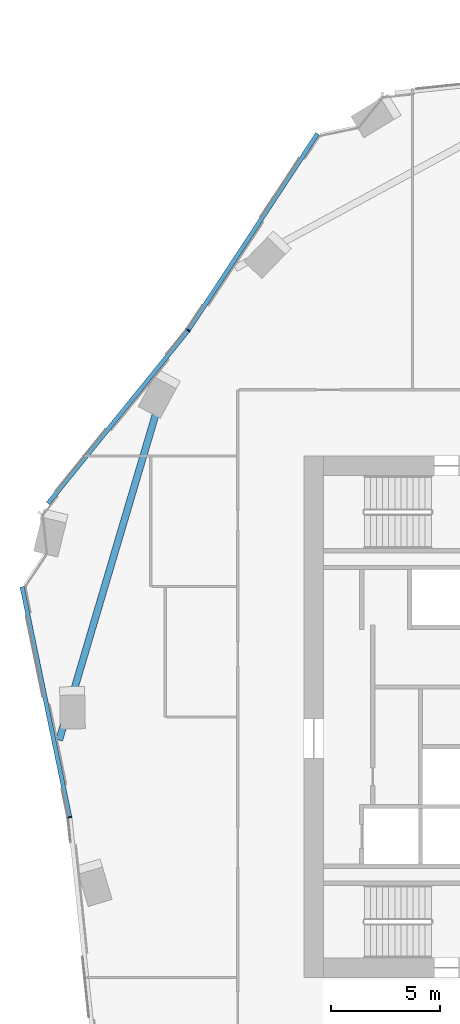
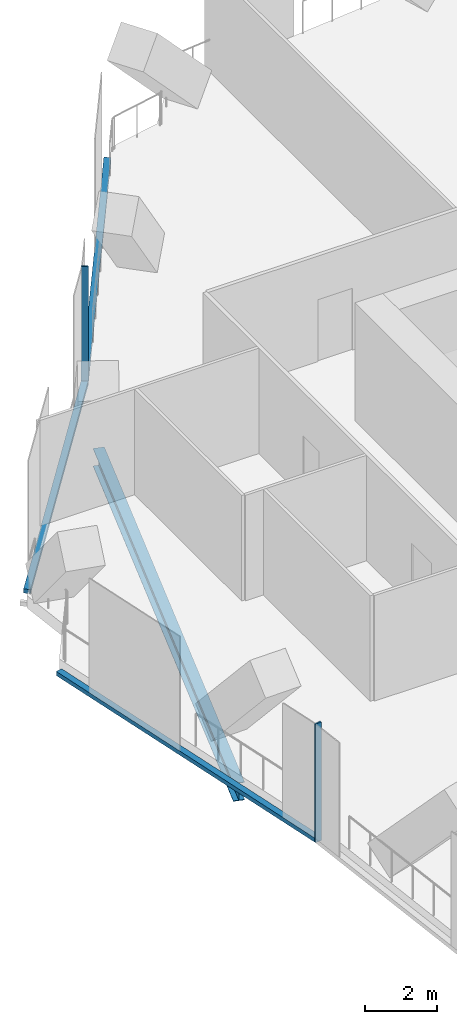
# One storey, part 6 of 26: 5 members, 1 beam, 3 elements without a shape of their own.
"""IFC4 building model written with IfcOpenShell, lengths in metres."""

from ifc_helpers import new_model, si_unit, direction, frame, origin, origin_2d, place, context, subcontext, project, spatial, rectangle, i_section, extrude, material, material_profile, profile_set, type_object, element, aggregate, save


model = new_model("IFC4")

# Units and contexts
model_context = context("Model", 3, precision=1e-05, world=origin(), true_north=direction((0.0, 1.0)))
body_context = subcontext(model_context, "Body", "Model", "MODEL_VIEW")
ifc_project = project(units=[si_unit("LENGTHUNIT", "METRE"), si_unit("AREAUNIT", "SQUARE_METRE"), si_unit("VOLUMEUNIT", "CUBIC_METRE"), si_unit("PLANEANGLEUNIT", "RADIAN"), si_unit("MASSUNIT", "GRAM", prefix="KILO")], contexts=[model_context])

# Site, building, storey
site_placement = place(None, origin())
site = spatial("IfcSite", under=ifc_project, at=site_placement, CompositionType="ELEMENT")
building_placement = place(site_placement, origin())
building = spatial("IfcBuilding", under=site, at=building_placement, Name="Orlundy Tower", CompositionType="ELEMENT")
storey_placement = place(building_placement, frame((0.0, 0.0, 228.0)))
storey = spatial("IfcBuildingStorey", under=building, at=storey_placement, Name="L60", CompositionType="ELEMENT", Elevation=228.0)

# Beam
ifc_material_1 = material(Name="Steel ASTM A992 Gr 50", Category="steel")
ifc_material_profile_1 = material_profile(ifc_material_1, i_section(OverallWidth=0.32373046875, OverallDepth=0.611083984375, WebThickness=0.0126953125, FlangeThickness=0.01904296875, at=origin_2d()), Name="W24X104")
ifc_profile_set_1 = profile_set([ifc_material_profile_1], Name="Steel ASTM A992 Gr 50")
beam_type = type_object("IfcBeamType", Name="CANTILEVER GIRDER beam W24X104", PredefinedType="BEAM", material=ifc_profile_set_1)
beam_placement = place(storey_placement, frame((-30.266357421875, -1.072998046875, -0.7255859375), z_axis=(0.283992789077, 0.958826415861, 0.0), x_axis=(-0.958826415861, 0.283992789077, 0.0)))
element("IfcBeam", 1, at=beam_placement, inside=storey, type_object=beam_type, Name="Cantilever girder C-H18 L60", PredefinedType="BEAM", context=body_context, shape_type="SweptSolid", body=[
    extrude(i_section(OverallWidth=0.32373046875, OverallDepth=0.611083984375, WebThickness=0.0126953125, FlangeThickness=0.01904296875, at=origin_2d()), origin(), (0.0, 0.0, 1.0), 16.705078125),
])

# Curtain wall, member
ifc_material_2 = material(Name="Aluminium bronze anodised", Category="aluminium")
curtain_wall_type = type_object("IfcCurtainWallType", Name="CW5 wall", PredefinedType="NOTDEFINED", material=ifc_material_2)
curtain_wall_1_placement = place(storey_placement, origin())
curtain_wall_1 = element("IfcCurtainWall", 2, at=curtain_wall_1_placement, inside=storey, type_object=curtain_wall_type, Name="CW5 run 04", PredefinedType="NOTDEFINED")
ifc_material_3 = material(Name="Aluminium bronze anodised", Category="aluminium")
ifc_material_profile_2 = material_profile(ifc_material_3, rectangle(XDim=0.199951171875, YDim=0.050048828125, at=origin_2d()), Name="CW5 mullion 50x200")
ifc_profile_set_2 = profile_set([ifc_material_profile_2], Name="Aluminium bronze anodised")
member_type_1 = type_object("IfcMemberType", Name="CW5 mullion 50x200", PredefinedType="MULLION", material=ifc_profile_set_2)
member_1_placement = place(storey_placement, frame((-29.780029296875, -4.622314453125, -0.419921875), z_axis=(0.0, 0.0, 1.0), x_axis=(-0.988137222332, -0.153573532362, 0.0)))
member_1 = element("IfcMember", 3, at=member_1_placement, type_object=member_type_1, Name="CW5 mullion 7", PredefinedType="MULLION", context=body_context, shape_type="SweptSolid", body=[
    extrude(rectangle(XDim=0.199951171875, YDim=0.050048828125, at=origin_2d()), origin(), (0.0, 0.0, 1.0), 4.02001953125),
])

curtain_wall_2_placement = place(storey_placement, origin())
curtain_wall_2 = element("IfcCurtainWall", 4, at=curtain_wall_2_placement, inside=storey, type_object=curtain_wall_type, Name="CW5 run 08", PredefinedType="NOTDEFINED")
member_2_placement = place(storey_placement, frame((-24.327880859375, 17.787109375, -0.419921875), z_axis=(0.0, 0.0, 1.0), x_axis=(-0.807300085, 0.590141146472, 0.0)))
member_2 = element("IfcMember", 5, at=member_2_placement, type_object=member_type_1, Name="CW5 mullion 13", PredefinedType="MULLION", context=body_context, shape_type="SweptSolid", body=[
    extrude(rectangle(XDim=0.199951171875, YDim=0.050048828125, at=origin_2d()), origin(), (0.0, 0.0, 1.0), 4.02001953125),
])

# Member
ifc_material_4 = material(Name="Aluminium bronze anodised", Category="aluminium")
ifc_material_profile_3 = material_profile(ifc_material_4, rectangle(XDim=0.199951171875, YDim=0.139892578125, at=origin_2d()), Name="CW5 transom 200x140")
ifc_profile_set_3 = profile_set([ifc_material_profile_3], Name="Aluminium bronze anodised")
member_type_2 = type_object("IfcMemberType", Name="CW5 transom 200x140", PredefinedType="USERDEFINED", material=ifc_profile_set_3)
member_3_placement = place(storey_placement, frame((-29.784912109375, -4.597900390625, -0.35009765625), z_axis=(-0.20227314105, 0.979329146105, 0.0), x_axis=(-0.979329146105, -0.20227314105, 0.0)))
member_3 = element("IfcMember", 6, at=member_3_placement, type_object=member_type_2, Name="CW5 transom", ObjectType="TRANSOM", PredefinedType="USERDEFINED", context=body_context, shape_type="SweptSolid", body=[
    extrude(rectangle(XDim=0.199951171875, YDim=0.139892578125, at=origin_2d()), origin(), (0.0, 0.0, 1.0), 10.80615234375),
])

aggregate(curtain_wall_1, [member_1, member_3])

# Curtain wall, member
curtain_wall_3_placement = place(storey_placement, origin())
curtain_wall_3 = element("IfcCurtainWall", 7, at=curtain_wall_3_placement, inside=storey, type_object=curtain_wall_type, Name="CW5 run 07", PredefinedType="NOTDEFINED")
member_4_placement = place(storey_placement, frame((-30.778564453125, 9.821044921875, -0.35009765625), z_axis=(0.629325286708, 0.777141997005, 0.0), x_axis=(-0.777141997005, 0.629325286708, 0.0)))
member_4 = element("IfcMember", 8, at=member_4_placement, type_object=member_type_2, Name="CW5 transom", ObjectType="TRANSOM", PredefinedType="USERDEFINED", context=body_context, shape_type="SweptSolid", body=[
    extrude(rectangle(XDim=0.199951171875, YDim=0.139892578125, at=origin_2d()), origin(), (0.0, 0.0, 1.0), 10.225341796875),
])
aggregate(curtain_wall_3, [member_4])

# Member
member_5_placement = place(storey_placement, frame((-24.31396484375, 17.80810546875, -0.35009765625), z_axis=(0.5495185913, 0.835481488614, 0.0), x_axis=(-0.835481488614, 0.5495185913, 0.0)))
member_5 = element("IfcMember", 9, at=member_5_placement, type_object=member_type_2, Name="CW5 transom", ObjectType="TRANSOM", PredefinedType="USERDEFINED", context=body_context, shape_type="SweptSolid", body=[
    extrude(rectangle(XDim=0.199951171875, YDim=0.139892578125, at=origin_2d()), origin(), (0.0, 0.0, 1.0), 10.808349609375),
])

aggregate(curtain_wall_2, [member_2, member_5])

save(model, "model.ifc")
